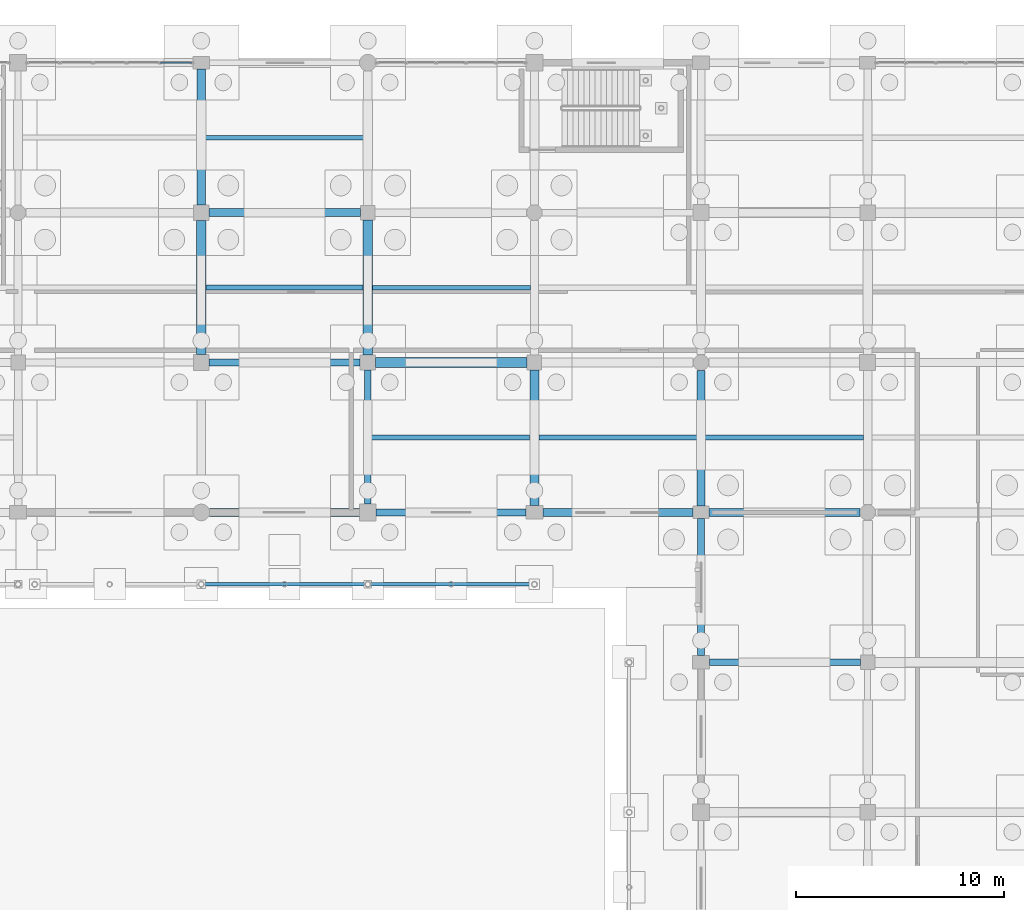
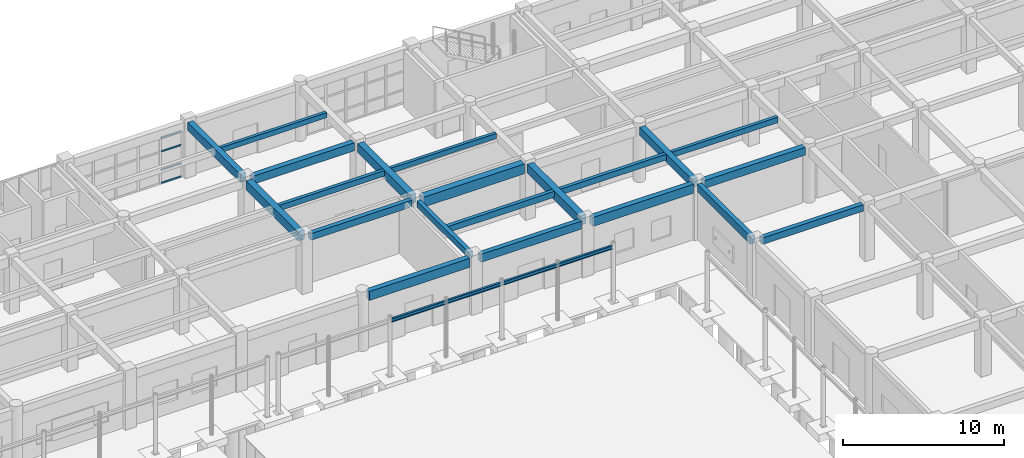
# One storey, part 97 of 166: 23 beams, 4 members, 1 element without a shape of its own.
"""IFC4 building model written with IfcOpenShell, lengths in metres."""

from ifc_helpers import new_model, si_unit, direction, frame, origin, origin_2d, place, context, subcontext, project, spatial, rectangle, hollow_rectangle, i_section, extrude, material, material_profile, profile_set, type_object, element, aggregate, save


model = new_model("IFC4")

# Units and contexts
model_context = context("Model", 3, precision=1e-05, world=origin(), true_north=direction((0.0, 1.0)))
body_context = subcontext(model_context, "Body", "Model", "MODEL_VIEW")
ifc_project = project(units=[si_unit("LENGTHUNIT", "METRE"), si_unit("AREAUNIT", "SQUARE_METRE"), si_unit("VOLUMEUNIT", "CUBIC_METRE"), si_unit("PLANEANGLEUNIT", "RADIAN"), si_unit("MASSUNIT", "GRAM", prefix="KILO")], contexts=[model_context])

# Site, building, storey
site_placement = place(None, origin())
site = spatial("IfcSite", under=ifc_project, at=site_placement, CompositionType="ELEMENT")
building_placement = place(site_placement, origin())
building = spatial("IfcBuilding", under=site, at=building_placement, Name="Kharva Crest Polytechnic", CompositionType="ELEMENT")
storey_placement = place(building_placement, origin())
storey = spatial("IfcBuildingStorey", under=building, at=storey_placement, Name="L00", CompositionType="ELEMENT", Elevation=0.0)

# Beams
ifc_material_1 = material(Name="Concrete C35/45", Category="concrete")
ifc_material_profile_1 = material_profile(ifc_material_1, rectangle(XDim=0.300048828125, YDim=0.449951171875, at=origin_2d()), Name="RECT 300 X 450")
ifc_profile_set_1 = profile_set([ifc_material_profile_1], Name="Concrete C35/45")
beam_type_1 = type_object("IfcBeamType", Name="BM-RC-300X450", PredefinedType="BEAM", material=ifc_profile_set_1)
beam_1_placement = place(storey_placement, frame((136.800048828125, 100.800048828125, 3.9951171875), z_axis=(0.0, 1.0, 0.0), x_axis=(-1.0, 0.0, 0.0)))
element("IfcBeam", 1, at=beam_1_placement, inside=storey, type_object=beam_type_1, Name="L00 Girder 18/P-Q", PredefinedType="BEAM", context=body_context, shape_type="SweptSolid", body=[
    extrude(rectangle(XDim=0.300048828125, YDim=0.449951171875, at=origin_2d()), origin(), (0.0, 0.0, 1.0), 6.429931640625),
])
ifc_material_profile_2 = material_profile(ifc_material_1, rectangle(XDim=0.320068359375, YDim=0.5, at=origin_2d()), Name="RECT 320 X 500")
ifc_profile_set_2 = profile_set([ifc_material_profile_2], Name="Concrete C35/45")
beam_type_2 = type_object("IfcBeamType", Name="BM-RC-320X500", PredefinedType="BEAM", material=ifc_profile_set_2)
for number, where, z_axis, x_axis, name in (
    (2, (153.199951171875, 93.199951171875, 3.969970703125), (1.0, 0.0, 0.0), (0.0, 1.0, 0.0), "L00 Beam N/20-21"),
    (3, (129.179931640625, 107.60009765625, 3.969970703125), (1.0, 0.0, 0.0), (0.0, 1.0, 0.0), "L00 Beam Q/17-18"),
):
    element("IfcBeam", number, at=place(storey_placement, frame(where, z_axis=z_axis, x_axis=x_axis)), inside=storey, type_object=beam_type_2, Name=name, PredefinedType="BEAM", context=body_context, shape_type="SweptSolid", body=[
        extrude(rectangle(XDim=0.320068359375, YDim=0.5, at=origin_2d()), origin(), (0.0, 0.0, 1.0), 7.25),
    ])
ifc_material_profile_3 = material_profile(ifc_material_1, rectangle(XDim=0.3798828125, YDim=0.60009765625, at=origin_2d()), Name="RECT 380 X 600")
ifc_profile_set_3 = profile_set([ifc_material_profile_3], Name="Concrete C35/45")
beam_type_3 = type_object("IfcBeamType", Name="BM-RC-380X600", PredefinedType="BEAM", material=ifc_profile_set_3)
beam_2_placement = place(storey_placement, frame((153.18994140625, 100.39990234375, 3.919921875), z_axis=(1.0, 0.0, 0.0), x_axis=(0.0, 1.0, 0.0)))
element("IfcBeam", 4, at=beam_2_placement, inside=storey, type_object=beam_type_3, Name="L00 Beam P/20-21", PredefinedType="BEAM", context=body_context, shape_type="SweptSolid", body=[
    extrude(rectangle(XDim=0.3798828125, YDim=0.60009765625, at=origin_2d()), origin(), (0.0, 0.0, 1.0), 7.235107421875),
])
beam_3_placement = place(storey_placement, frame((129.169921875, 114.800048828125, 3.919921875), z_axis=(1.0, 0.0, 0.0), x_axis=(0.0, 1.0, 0.0)))
element("IfcBeam", 5, at=beam_3_placement, inside=storey, type_object=beam_type_3, Name="L00 Beam R/17-18", PredefinedType="BEAM", context=body_context, shape_type="SweptSolid", body=[
    extrude(rectangle(XDim=0.3798828125, YDim=0.60009765625, at=origin_2d()), origin(), (0.0, 0.0, 1.0), 7.280029296875),
])
ifc_material_profile_4 = material_profile(ifc_material_1, rectangle(XDim=0.39990234375, YDim=0.6201171875, at=origin_2d()), Name="RECT 400 X 620")
ifc_profile_set_4 = profile_set([ifc_material_profile_4], Name="Concrete C35/45")
beam_type_4 = type_object("IfcBeamType", Name="BM-RC-400X620", PredefinedType="BEAM", material=ifc_profile_set_4)
beam_4_placement = place(storey_placement, frame((128.800048828125, 115.169921875, 3.909912109375), z_axis=(0.0, 1.0, 0.0), x_axis=(-1.0, 0.0, 0.0)))
element("IfcBeam", 6, at=beam_4_placement, inside=storey, type_object=beam_type_4, Name="L00 Girder 17/R-S", PredefinedType="BEAM", context=body_context, shape_type="SweptSolid", body=[
    extrude(rectangle(XDim=0.39990234375, YDim=0.6201171875, at=origin_2d()), origin(), (0.0, 0.0, 1.0), 6.530029296875),
])
beam_5_placement = place(storey_placement, frame((152.800048828125, 100.699951171875, 3.909912109375), z_axis=(0.0, 1.0, 0.0), x_axis=(-1.0, 0.0, 0.0)))
element("IfcBeam", 7, at=beam_5_placement, inside=storey, type_object=beam_type_4, Name="L00 Girder 20/P-Q", PredefinedType="BEAM", context=body_context, shape_type="SweptSolid", body=[
    extrude(rectangle(XDim=0.39990234375, YDim=0.6201171875, at=origin_2d()), origin(), (0.0, 0.0, 1.0), 6.525146484375),
])
ifc_material_profile_5 = material_profile(ifc_material_1, rectangle(XDim=0.449951171875, YDim=0.679931640625, at=origin_2d()), Name="RECT 450 X 680")
ifc_profile_set_5 = profile_set([ifc_material_profile_5], Name="Concrete C35/45")
beam_type_5 = type_object("IfcBeamType", Name="BM-RC-450X680", PredefinedType="BEAM", material=ifc_profile_set_5)
beam_6_placement = place(storey_placement, frame((128.800048828125, 107.97998046875, 3.8798828125), z_axis=(0.0, 1.0, 0.0), x_axis=(-1.0, 0.0, 0.0)))
element("IfcBeam", 8, at=beam_6_placement, inside=storey, type_object=beam_type_5, Name="L00 Girder 17/Q-R", PredefinedType="BEAM", context=body_context, shape_type="SweptSolid", body=[
    extrude(rectangle(XDim=0.449951171875, YDim=0.679931640625, at=origin_2d()), origin(), (0.0, 0.0, 1.0), 6.449951171875),
])
beam_7_placement = place(storey_placement, frame((136.800048828125, 107.969970703125, 3.8798828125), z_axis=(0.0, 1.0, 0.0), x_axis=(-1.0, 0.0, 0.0)))
element("IfcBeam", 9, at=beam_7_placement, inside=storey, type_object=beam_type_5, Name="L00 Girder 18/Q-R", PredefinedType="BEAM", context=body_context, shape_type="SweptSolid", body=[
    extrude(rectangle(XDim=0.449951171875, YDim=0.679931640625, at=origin_2d()), origin(), (0.0, 0.0, 1.0), 6.47998046875),
])
beam_8_placement = place(storey_placement, frame((144.800048828125, 100.72509765625, 3.8798828125), z_axis=(0.0, 1.0, 0.0), x_axis=(-1.0, 0.0, 0.0)))
element("IfcBeam", 10, at=beam_8_placement, inside=storey, type_object=beam_type_5, Name="L00 Girder 19/P-Q", PredefinedType="BEAM", context=body_context, shape_type="SweptSolid", body=[
    extrude(rectangle(XDim=0.449951171875, YDim=0.679931640625, at=origin_2d()), origin(), (0.0, 0.0, 1.0), 6.52490234375),
])
ifc_material_profile_6 = material_profile(ifc_material_1, rectangle(XDim=0.47998046875, YDim=0.75, at=origin_2d()), Name="RECT 480 X 750")
ifc_profile_set_6 = profile_set([ifc_material_profile_6], Name="Concrete C35/45")
beam_type_6 = type_object("IfcBeamType", Name="BM-RC-480X750", PredefinedType="BEAM", material=ifc_profile_set_6)
beam_9_placement = place(storey_placement, frame((137.169921875, 107.60009765625, 3.844970703125), z_axis=(1.0, 0.0, 0.0), x_axis=(0.0, 1.0, 0.0)))
element("IfcBeam", 11, at=beam_9_placement, inside=storey, type_object=beam_type_6, Name="L00 Beam Q/18-19", PredefinedType="BEAM", context=body_context, shape_type="SweptSolid", body=[
    extrude(rectangle(XDim=0.47998046875, YDim=0.75, at=origin_2d()), origin(), (0.0, 0.0, 1.0), 7.280029296875),
])
ifc_material_2 = material(Name="Steel S355", Category="steel")
ifc_material_profile_7 = material_profile(ifc_material_2, i_section(OverallWidth=0.14794921875, OverallDepth=0.26611328125, WebThickness=0.007568359375, FlangeThickness=0.012939453125, at=origin_2d()), Name="W250X44.8")
ifc_profile_set_7 = profile_set([ifc_material_profile_7], Name="Steel S355")
beam_type_7 = type_object("IfcBeamType", Name="BM-STL-W250X44", PredefinedType="SPANDREL", material=ifc_profile_set_7)
for number, where, z_axis, x_axis, name in (
    (12, (128.820068359375, 96.949951171875, 4.156982421875), (1.0, 0.0, 0.0), (0.0, 1.0, 0.0), "L00 North Veranda Beam 11"),
    (13, (136.820068359375, 96.949951171875, 4.156982421875), (1.0, 0.0, 0.0), (0.0, 1.0, 0.0), "L00 North Veranda Beam 12"),
):
    element("IfcBeam", number, at=place(storey_placement, frame(where, z_axis=z_axis, x_axis=x_axis)), inside=storey, type_object=beam_type_7, Name=name, PredefinedType="SPANDREL", context=body_context, shape_type="SweptSolid", body=[
        extrude(i_section(OverallWidth=0.14794921875, OverallDepth=0.26611328125, WebThickness=0.007568359375, FlangeThickness=0.012939453125, at=origin_2d()), origin(), (0.0, 0.0, 1.0), 7.9599609375),
    ])

# Curtain wall, members
ifc_material_3 = material(Name="Tempered insulated glass", Category="glass")
curtain_wall_type = type_object("IfcCurtainWallType", Name="CW-SYS-COURT", PredefinedType="USERDEFINED", material=ifc_material_3)
curtain_wall_placement = place(storey_placement, origin())
curtain_wall = element("IfcCurtainWall", 14, at=curtain_wall_placement, inside=storey, type_object=curtain_wall_type, Name="L00 Glazed Curtain Wall CW-024", ObjectType="CURTAIN WALL", PredefinedType="USERDEFINED")
ifc_material_profile_8 = material_profile(ifc_material_2, hollow_rectangle(XDim=0.06005859375, YDim=0.1201171875, WallThickness=0.00390625, at=origin_2d()), Name="RHS 120X60X4.0")
ifc_profile_set_8 = profile_set([ifc_material_profile_8], Name="Steel S355")
member_type = type_object("IfcMemberType", Name="CWT-RHS120X60", PredefinedType="USERDEFINED", material=ifc_profile_set_8)
member_1_placement = place(storey_placement, frame((128.324951171875, 122.0, 0.06005859375), z_axis=(-1.0, 0.0, 0.0), x_axis=(0.0, -1.0, 0.0)))
member_1 = element("IfcMember", 15, at=member_1_placement, type_object=member_type, Name="CW-024 transom 1.1", ObjectType="TRANSOM", PredefinedType="USERDEFINED", context=body_context, shape_type="SweptSolid", body=[
    extrude(hollow_rectangle(XDim=0.06005859375, YDim=0.1201171875, WallThickness=0.00390625, at=origin_2d()), origin(), (0.0, 0.0, 1.0), 1.47998046875),
])
member_2_placement = place(storey_placement, frame((128.324951171875, 122.0, 1.050048828125), z_axis=(-1.0, 0.0, 0.0), x_axis=(0.0, -1.0, 0.0)))
member_2 = element("IfcMember", 16, at=member_2_placement, type_object=member_type, Name="CW-024 transom 1.2", ObjectType="TRANSOM", PredefinedType="USERDEFINED", context=body_context, shape_type="SweptSolid", body=[
    extrude(hollow_rectangle(XDim=0.06005859375, YDim=0.1201171875, WallThickness=0.00390625, at=origin_2d()), origin(), (0.0, 0.0, 1.0), 1.47998046875),
])
member_3_placement = place(storey_placement, frame((128.324951171875, 122.0, 2.449951171875), z_axis=(-1.0, 0.0, 0.0), x_axis=(0.0, -1.0, 0.0)))
member_3 = element("IfcMember", 17, at=member_3_placement, type_object=member_type, Name="CW-024 transom 1.3", ObjectType="TRANSOM", PredefinedType="USERDEFINED", context=body_context, shape_type="SweptSolid", body=[
    extrude(hollow_rectangle(XDim=0.06005859375, YDim=0.1201171875, WallThickness=0.00390625, at=origin_2d()), origin(), (0.0, 0.0, 1.0), 1.47998046875),
])
member_4_placement = place(storey_placement, frame((128.324951171875, 122.0, 3.47998046875), z_axis=(-1.0, 0.0, 0.0), x_axis=(0.0, -1.0, 0.0)))
member_4 = element("IfcMember", 18, at=member_4_placement, type_object=member_type, Name="CW-024 transom 1.4", ObjectType="TRANSOM", PredefinedType="USERDEFINED", context=body_context, shape_type="SweptSolid", body=[
    extrude(hollow_rectangle(XDim=0.06005859375, YDim=0.1201171875, WallThickness=0.00390625, at=origin_2d()), origin(), (0.0, 0.0, 1.0), 1.47998046875),
])
aggregate(curtain_wall, [member_1, member_2, member_3, member_4])

# Beams
ifc_material_profile_9 = material_profile(ifc_material_1, rectangle(XDim=0.219970703125, YDim=0.3798828125, at=origin_2d()), Name="RECT 220 X 380")
ifc_profile_set_9 = profile_set([ifc_material_profile_9], Name="Concrete C35/45")
beam_type_8 = type_object("IfcBeamType", Name="JS-RC-220X380", PredefinedType="JOIST", material=ifc_profile_set_9)
beam_10_placement = place(storey_placement, frame((137.02490234375, 111.199951171875, 4.030029296875), z_axis=(1.0, 0.0, 0.0), x_axis=(0.0, 1.0, 0.0)))
element("IfcBeam", 19, at=beam_10_placement, inside=storey, type_object=beam_type_8, Name="L00 Floor Joist 38", PredefinedType="JOIST", context=body_context, shape_type="SweptSolid", body=[
    extrude(rectangle(XDim=0.219970703125, YDim=0.3798828125, at=origin_2d()), origin(), (0.0, 0.0, 1.0), 7.5751953125),
])
beam_11_placement = place(storey_placement, frame((129.0, 118.39990234375, 4.030029296875), z_axis=(1.0, 0.0, 0.0), x_axis=(0.0, 1.0, 0.0)))
element("IfcBeam", 20, at=beam_11_placement, inside=storey, type_object=beam_type_8, Name="L00 Floor Joist 50", PredefinedType="JOIST", context=body_context, shape_type="SweptSolid", body=[
    extrude(rectangle(XDim=0.219970703125, YDim=0.3798828125, at=origin_2d()), origin(), (0.0, 0.0, 1.0), 7.60009765625),
])
ifc_material_profile_10 = material_profile(ifc_material_1, rectangle(XDim=0.239990234375, YDim=0.419921875, at=origin_2d()), Name="RECT 240 X 420")
ifc_profile_set_10 = profile_set([ifc_material_profile_10], Name="Concrete C35/45")
beam_type_9 = type_object("IfcBeamType", Name="JS-RC-240X420", PredefinedType="JOIST", material=ifc_profile_set_10)
beam_12_placement = place(storey_placement, frame((153.0, 104.0, 4.010009765625), z_axis=(1.0, 0.0, 0.0), x_axis=(0.0, 1.0, 0.0)))
element("IfcBeam", 21, at=beam_12_placement, inside=storey, type_object=beam_type_9, Name="L00 Floor Joist 21", PredefinedType="JOIST", context=body_context, shape_type="SweptSolid", body=[
    extrude(rectangle(XDim=0.239990234375, YDim=0.419921875, at=origin_2d()), origin(), (0.0, 0.0, 1.0), 7.60009765625),
])
beam_13_placement = place(storey_placement, frame((129.02490234375, 111.199951171875, 4.010009765625), z_axis=(1.0, 0.0, 0.0), x_axis=(0.0, 1.0, 0.0)))
element("IfcBeam", 22, at=beam_13_placement, inside=storey, type_object=beam_type_9, Name="L00 Floor Joist 37", PredefinedType="JOIST", context=body_context, shape_type="SweptSolid", body=[
    extrude(rectangle(XDim=0.239990234375, YDim=0.419921875, at=origin_2d()), origin(), (0.0, 0.0, 1.0), 7.550048828125),
])
ifc_material_profile_11 = material_profile(ifc_material_1, rectangle(XDim=0.25, YDim=0.43994140625, at=origin_2d()), Name="RECT 250 X 440")
ifc_profile_set_11 = profile_set([ifc_material_profile_11], Name="Concrete C35/45")
beam_type_10 = type_object("IfcBeamType", Name="JS-RC-250X440", PredefinedType="JOIST", material=ifc_profile_set_11)
beam_14_placement = place(storey_placement, frame((145.02490234375, 104.0, 4.0), z_axis=(1.0, 0.0, 0.0), x_axis=(0.0, 1.0, 0.0)))
element("IfcBeam", 23, at=beam_14_placement, inside=storey, type_object=beam_type_10, Name="L00 Floor Joist 20", PredefinedType="JOIST", context=body_context, shape_type="SweptSolid", body=[
    extrude(rectangle(XDim=0.25, YDim=0.43994140625, at=origin_2d()), origin(), (0.0, 0.0, 1.0), 7.5751953125),
])
ifc_material_profile_12 = material_profile(ifc_material_1, rectangle(XDim=0.260009765625, YDim=0.4599609375, at=origin_2d()), Name="RECT 260 X 460")
ifc_profile_set_12 = profile_set([ifc_material_profile_12], Name="Concrete C35/45")
beam_type_11 = type_object("IfcBeamType", Name="JS-RC-260X460", PredefinedType="JOIST", material=ifc_profile_set_12)
beam_15_placement = place(storey_placement, frame((136.949951171875, 104.0, 3.989990234375), z_axis=(1.0, 0.0, 0.0), x_axis=(0.0, 1.0, 0.0)))
element("IfcBeam", 24, at=beam_15_placement, inside=storey, type_object=beam_type_11, Name="L00 Floor Joist 19", PredefinedType="JOIST", context=body_context, shape_type="SweptSolid", body=[
    extrude(rectangle(XDim=0.260009765625, YDim=0.4599609375, at=origin_2d()), origin(), (0.0, 0.0, 1.0), 7.625),
])
ifc_material_profile_13 = material_profile(ifc_material_1, rectangle(XDim=0.320068359375, YDim=0.580078125, at=origin_2d()), Name="RECT 320 X 580")
ifc_profile_set_13 = profile_set([ifc_material_profile_13], Name="Concrete C35/45")
beam_type_12 = type_object("IfcBeamType", Name="SP-RC-320X580", PredefinedType="SPANDREL", material=ifc_profile_set_13)
beam_16_placement = place(storey_placement, frame((152.800048828125, 93.52490234375, 3.929931640625), z_axis=(0.0, 1.0, 0.0), x_axis=(-1.0, 0.0, 0.0)))
element("IfcBeam", 25, at=beam_16_placement, inside=storey, type_object=beam_type_12, Name="L00 Girder 20/N-P", PredefinedType="SPANDREL", context=body_context, shape_type="SweptSolid", body=[
    extrude(rectangle(XDim=0.320068359375, YDim=0.580078125, at=origin_2d()), origin(), (0.0, 0.0, 1.0), 6.5751953125),
])
ifc_material_profile_14 = material_profile(ifc_material_1, rectangle(XDim=0.340087890625, YDim=0.60009765625, at=origin_2d()), Name="RECT 340 X 600")
ifc_profile_set_14 = profile_set([ifc_material_profile_14], Name="Concrete C35/45")
beam_type_13 = type_object("IfcBeamType", Name="SP-RC-340X600", PredefinedType="SPANDREL", material=ifc_profile_set_14)
beam_17_placement = place(storey_placement, frame((137.199951171875, 100.39990234375, 3.919921875), z_axis=(1.0, 0.0, 0.0), x_axis=(0.0, 1.0, 0.0)))
element("IfcBeam", 26, at=beam_17_placement, inside=storey, type_object=beam_type_13, Name="L00 Beam P/18-19", PredefinedType="SPANDREL", context=body_context, shape_type="SweptSolid", body=[
    extrude(rectangle(XDim=0.340087890625, YDim=0.60009765625, at=origin_2d()), origin(), (0.0, 0.0, 1.0), 7.199951171875),
])
ifc_material_profile_15 = material_profile(ifc_material_1, rectangle(XDim=0.3798828125, YDim=0.679931640625, at=origin_2d()), Name="RECT 380 X 680")
ifc_profile_set_15 = profile_set([ifc_material_profile_15], Name="Concrete C35/45")
beam_type_14 = type_object("IfcBeamType", Name="SP-RC-380X680", PredefinedType="SPANDREL", material=ifc_profile_set_15)
beam_18_placement = place(storey_placement, frame((129.199951171875, 100.39990234375, 3.8798828125), z_axis=(1.0, 0.0, 0.0), x_axis=(0.0, 1.0, 0.0)))
element("IfcBeam", 27, at=beam_18_placement, inside=storey, type_object=beam_type_14, Name="L00 Beam P/17-18", PredefinedType="SPANDREL", context=body_context, shape_type="SweptSolid", body=[
    extrude(rectangle(XDim=0.3798828125, YDim=0.679931640625, at=origin_2d()), origin(), (0.0, 0.0, 1.0), 7.199951171875),
])
beam_19_placement = place(storey_placement, frame((145.199951171875, 100.39990234375, 3.8798828125), z_axis=(1.0, 0.0, 0.0), x_axis=(0.0, 1.0, 0.0)))
element("IfcBeam", 28, at=beam_19_placement, inside=storey, type_object=beam_type_14, Name="L00 Beam P/19-20", PredefinedType="SPANDREL", context=body_context, shape_type="SweptSolid", body=[
    extrude(rectangle(XDim=0.3798828125, YDim=0.679931640625, at=origin_2d()), origin(), (0.0, 0.0, 1.0), 7.2099609375),
])

save(model, "model.ifc")
